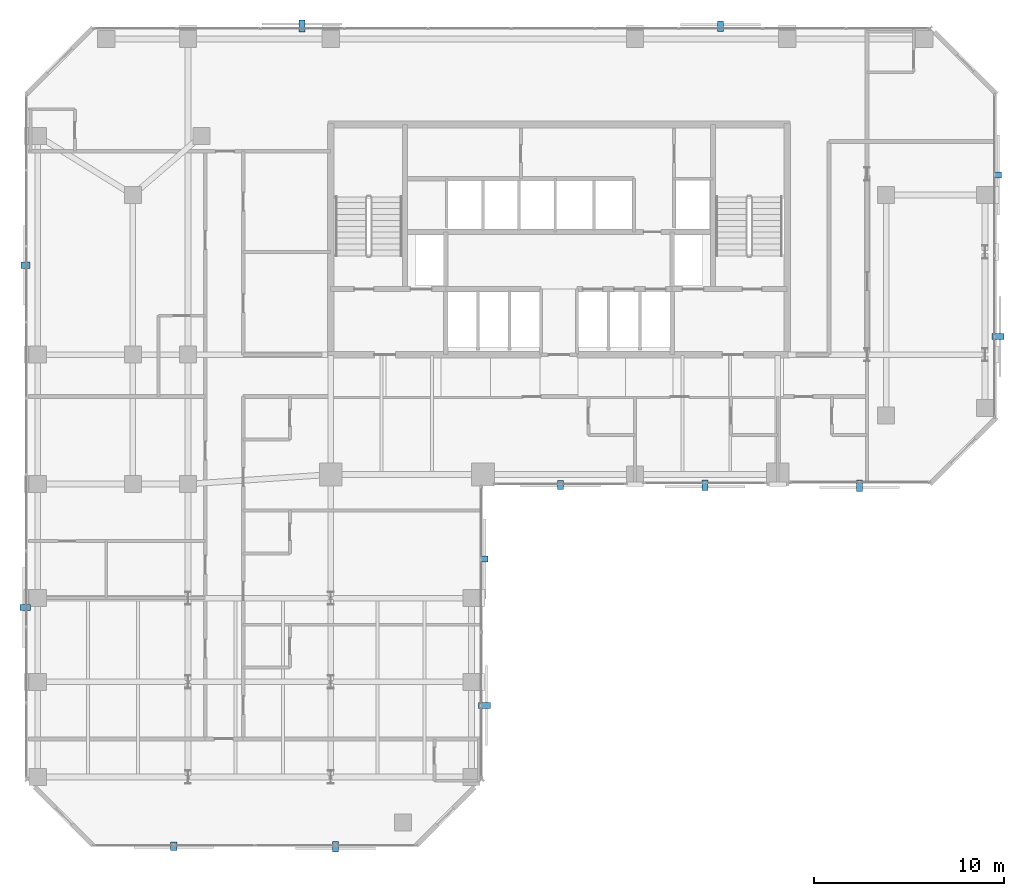
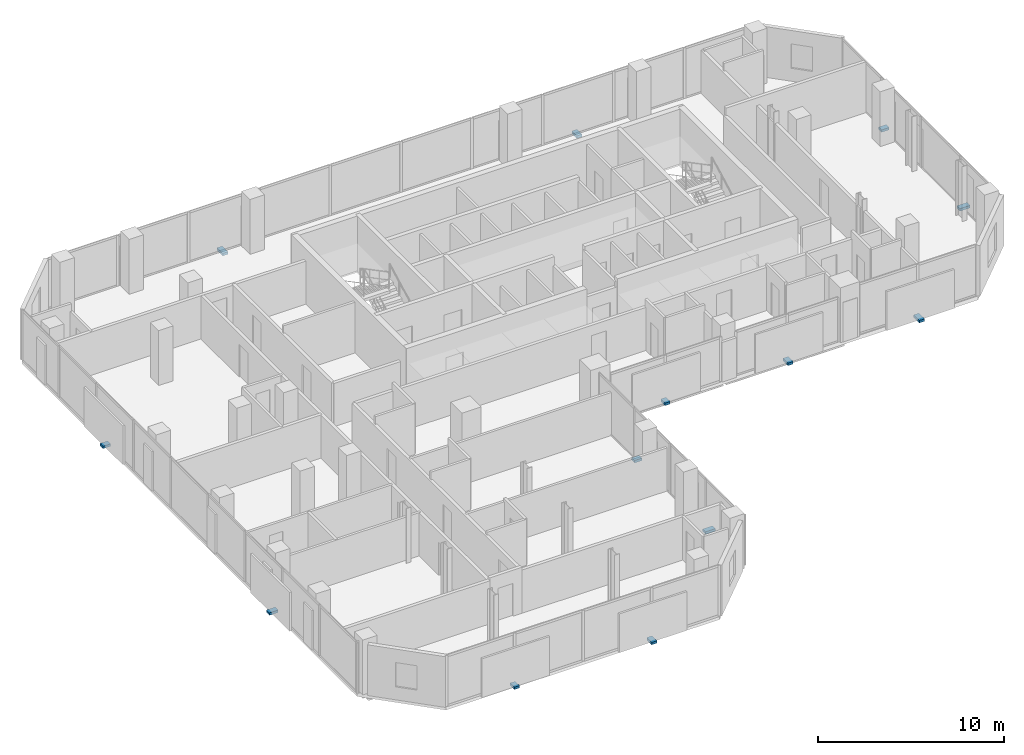
# One storey, part 32 of 35: 13 discrete accessories.
"""IFC4 building model written with IfcOpenShell, lengths in metres."""

import ifcopenshell
import ifcopenshell.guid

model = None  # the IFC model being written
_history = None  # IfcOwnerHistory: only IFC2X3 demands one
_inside = {}  # id of a spatial element -> (the spatial element, [elements in it])
_under = {}  # id of a project, library or spatial element -> (it, [spatial elements below it])
_declared = {}  # id of a project -> (the project, [libraries it declares])
_typed = {}  # id of a type object -> (the type object, [elements of that type])
_made_of = {}  # id of a material, layer set ... -> (it, [elements and type objects made of it])


def new_model(schema):
    """Start an empty IFC model of exactly this schema.

    Asked for "IFC4X3", IfcOpenShell would pick the latest addendum, in which some entities
    have other attributes; the version numbers below select the first issue.
    IFC2X3 requires an IfcOwnerHistory on every rooted entity: one is made here for all.
    """
    global model, _history
    if schema == "IFC4X3":
        model = ifcopenshell.file(schema_version=(4, 3, 0, 0))
    else:
        model = ifcopenshell.file(schema=schema)
    _inside.clear()
    _under.clear()
    _declared.clear()
    _typed.clear()
    _made_of.clear()
    _history = None
    if model.schema == "IFC2X3":
        org = make("IfcOrganization", Name="unknown")
        user = make(
            "IfcPersonAndOrganization",
            ThePerson=make("IfcPerson", FamilyName="unknown"),
            TheOrganization=org,
        )
        app = make(
            "IfcApplication",
            ApplicationDeveloper=org,
            Version="unknown",
            ApplicationFullName="unknown",
            ApplicationIdentifier="unknown",
        )
        _history = make(
            "IfcOwnerHistory",
            OwningUser=user,
            OwningApplication=app,
            ChangeAction="ADDED",
            CreationDate=0,
        )
    return model


def make(cls, **values):
    """One entity of the class cls with the attributes given. An attribute that is None is left unset."""
    return model.create_entity(
        cls, **{name: value for name, value in values.items() if value is not None}
    )


def rooted(cls, **values):
    """An entity with a GlobalId (a new one), such as an element, a storey or a relation."""
    return make(cls, GlobalId=ifcopenshell.guid.new(), OwnerHistory=_history, **values)


def si_unit(unit_type, name, prefix=None):
    """IfcSIUnit, for example si_unit("LENGTHUNIT", "METRE", prefix="MILLI")."""
    return make("IfcSIUnit", UnitType=unit_type, Prefix=prefix, Name=name)


def assignment(units):
    """IfcUnitAssignment: the units of a project."""
    return None if units is None else make("IfcUnitAssignment", Units=units)


def point(xyz):
    """IfcCartesianPoint."""
    return None if xyz is None else make("IfcCartesianPoint", Coordinates=xyz)


def direction(xyz):
    """IfcDirection."""
    return None if xyz is None else make("IfcDirection", DirectionRatios=xyz)


def frame(location, z_axis=None, x_axis=None):
    """IfcAxis2Placement3D, a coordinate frame: its origin and axes. An axis left out is left unset."""
    return make(
        "IfcAxis2Placement3D",
        Location=point(location),
        Axis=direction(z_axis),
        RefDirection=direction(x_axis),
    )


def frame_2d(location, x_axis=None):
    """IfcAxis2Placement2D, a coordinate frame in the plane: its origin and x axis."""
    return make(
        "IfcAxis2Placement2D", Location=point(location), RefDirection=direction(x_axis)
    )


def origin():
    """The frame at (0, 0, 0) with its axes left unset."""
    return frame((0.0, 0.0, 0.0))


def origin_2d():
    """The frame at (0, 0) in the plane with its x axis left unset."""
    return frame_2d((0.0, 0.0))


def place(relative_to, where):
    """IfcLocalPlacement: puts the frame where relative to a parent placement (None: the world)."""
    return make(
        "IfcLocalPlacement", PlacementRelTo=relative_to, RelativePlacement=where
    )


def context(
    kind, dimensions, precision=None, world=None, true_north=None, identifier=None
):
    """IfcGeometricRepresentationContext, for example the 3D "Model" context."""
    return make(
        "IfcGeometricRepresentationContext",
        ContextIdentifier=identifier,
        ContextType=kind,
        CoordinateSpaceDimension=dimensions,
        Precision=precision,
        WorldCoordinateSystem=world,
        TrueNorth=true_north,
    )


def subcontext(parent, identifier, kind, view, scale=None):
    """IfcGeometricRepresentationSubContext, for example "Body" below "Model"."""
    return make(
        "IfcGeometricRepresentationSubContext",
        ContextIdentifier=identifier,
        ContextType=kind,
        ParentContext=parent,
        TargetScale=scale,
        TargetView=view,
    )


def project(units=None, contexts=None):
    """IfcProject with its units and contexts."""
    return rooted(
        "IfcProject",
        Name="project",
        RepresentationContexts=contexts,
        UnitsInContext=assignment(units),
    )


def spatial(cls, under=None, at=None, **own):
    """A site, building, storey or space (cls), placed at a placement, below another one or the project."""
    s = rooted(cls, ObjectPlacement=at, **own)
    if under is not None:
        _under.setdefault(under.id(), (under, []))[1].append(s)
    return s


def profile(cls, at=None, kind="AREA", **sizes):
    """A parametric profile (cls). Its sizes go by their IFC names, for example OverallWidth=200.0."""
    return make(cls, ProfileType=kind, Position=at, **sizes)


def rectangle(**sizes):
    """IfcRectangleProfileDef."""
    return profile("IfcRectangleProfileDef", **sizes)


def extrude(swept, where, along, depth):
    """IfcExtrudedAreaSolid: the profile swept, set in the frame where, extruded along a direction by depth."""
    return make(
        "IfcExtrudedAreaSolid",
        SweptArea=swept,
        Position=where,
        ExtrudedDirection=direction(along),
        Depth=depth,
    )


def shape(context_of_items, identifier, shape_type, items):
    """IfcShapeRepresentation: the items that make up one representation, for example the "Body"."""
    return make(
        "IfcShapeRepresentation",
        ContextOfItems=context_of_items,
        RepresentationIdentifier=identifier,
        RepresentationType=shape_type,
        Items=items,
    )


def material(Name=None, Category=None):
    """IfcMaterial."""
    return make("IfcMaterial", Name=Name, Category=Category)


def made_of(thing, what):
    """Note that an element or type object is made of a material, layer set ...; save() writes the relation."""
    if what is not None:
        _made_of.setdefault(what.id(), (what, []))[1].append(thing)
    return thing


def type_object(cls, material=None, **own):
    """A type object (cls), such as IfcWallType, which elements share."""
    return made_of(rooted(cls, **own), material)


def element(
    cls,
    number,
    at=None,
    inside=None,
    cuts=None,
    type_object=None,
    material=None,
    context=None,
    identifier="Body",
    shape_type=None,
    held_by="IfcProductDefinitionShape",
    body=None,
    shapes=None,
    **own,
):
    """One element of the class cls, such as IfcWall. Its Tag is "e" and its number.

    at: its placement. inside: the storey or other place that contains it. cuts: it is an
    opening in that element (IfcRelVoidsElement). A single representation is given by context,
    identifier, shape_type and body (its items); several are given by shapes. held_by: the class
    of the entity that holds the representations. save() writes the other relations.
    """
    e = rooted(cls, Tag="e%d" % number, ObjectPlacement=at, **own)
    if body is not None:
        shapes = [shape(context, identifier, shape_type, body)]
    if shapes is not None:
        e.Representation = make(held_by, Representations=shapes)
    if inside is not None:
        _inside.setdefault(inside.id(), (inside, []))[1].append(e)
    if cuts is not None:
        rooted(
            "IfcRelVoidsElement", RelatingBuildingElement=cuts, RelatedOpeningElement=e
        )
    if type_object is not None:
        _typed.setdefault(type_object.id(), (type_object, []))[1].append(e)
    return made_of(e, material)


def aggregate(whole, parts):
    """IfcRelAggregates: a whole, such as a stair, and the parts it consists of."""
    return rooted("IfcRelAggregates", RelatingObject=whole, RelatedObjects=parts)


def save(model, path):
    """Write the relations noted so far, then the file.

    IfcRelAggregates (storeys below a building ...), IfcRelContainedInSpatialStructure (elements
    in a storey), IfcRelDefinesByType, IfcRelAssociatesMaterial and IfcRelDeclares: one each for
    every whole, place, type object, material and project.
    """
    for whole, parts in _under.values():
        aggregate(whole, parts)
    for where, things in _inside.values():
        rooted(
            "IfcRelContainedInSpatialStructure",
            RelatedElements=things,
            RelatingStructure=where,
        )
    for kind, things in _typed.values():
        rooted("IfcRelDefinesByType", RelatedObjects=things, RelatingType=kind)
    for what, things in _made_of.values():
        rooted("IfcRelAssociatesMaterial", RelatedObjects=things, RelatingMaterial=what)
    for by, libraries in _declared.values():
        rooted("IfcRelDeclares", RelatingContext=by, RelatedDefinitions=libraries)
    model.write(path)


model = new_model("IFC4")

# Units and contexts
model_context = context("Model", 3, precision=1e-05, world=origin(), true_north=direction((0.0, 1.0)))
body_context = subcontext(model_context, "Body", "Model", "MODEL_VIEW")
ifc_project = project(units=[si_unit("LENGTHUNIT", "METRE"), si_unit("AREAUNIT", "SQUARE_METRE"), si_unit("VOLUMEUNIT", "CUBIC_METRE"), si_unit("PLANEANGLEUNIT", "RADIAN"), si_unit("MASSUNIT", "GRAM", prefix="KILO")], contexts=[model_context])

# Site, building, storey
site_placement = place(None, origin())
site = spatial("IfcSite", under=ifc_project, at=site_placement, CompositionType="ELEMENT")
building_placement = place(site_placement, origin())
building = spatial("IfcBuilding", under=site, at=building_placement, Name="Catumbela Crestline Tower", CompositionType="ELEMENT")
storey_placement = place(building_placement, frame((0.0, 0.0, 90.0)))
storey = spatial("IfcBuildingStorey", under=building, at=storey_placement, Name="L22", CompositionType="ELEMENT", Elevation=90.0)

# Discrete accessories
ifc_material = material(Name="Stainless steel EN 1.4401", Category="steel")
discrete_accessory_type = type_object("IfcDiscreteAccessoryType", Name="BK-SS1", PredefinedType="BRACKET", material=ifc_material)
discrete_accessory_1_placement = place(storey_placement, frame((7.75, 4.955, -0.18), z_axis=(0.0, 0.0, 1.0), x_axis=(1.0, 0.0, 0.0)))
element("IfcDiscreteAccessory", 1, at=discrete_accessory_1_placement, inside=storey, type_object=discrete_accessory_type, Name="L22 Solar Screen Stainless Bracket 211", PredefinedType="BRACKET", context=body_context, shape_type="SweptSolid", body=[
    extrude(rectangle(XDim=0.32, YDim=0.46, at=origin_2d()), origin(), (0.0, 0.0, 1.0), 0.16),
])
discrete_accessory_2_placement = place(storey_placement, frame((16.25, 4.935, -0.18), z_axis=(0.0, 0.0, 1.0), x_axis=(1.0, 0.0, 0.0)))
element("IfcDiscreteAccessory", 2, at=discrete_accessory_2_placement, inside=storey, type_object=discrete_accessory_type, Name="L22 Solar Screen Stainless Bracket 212", PredefinedType="BRACKET", context=body_context, shape_type="SweptSolid", body=[
    extrude(rectangle(XDim=0.32, YDim=0.54, at=origin_2d()), origin(), (0.0, 0.0, 1.0), 0.16),
])
discrete_accessory_3_placement = place(storey_placement, frame((24.085, 12.35, -0.18), z_axis=(0.0, 0.0, 1.0), x_axis=(0.0, 1.0, 0.0)))
element("IfcDiscreteAccessory", 3, at=discrete_accessory_3_placement, inside=storey, type_object=discrete_accessory_type, Name="L22 Solar Screen Stainless Bracket 213", PredefinedType="BRACKET", context=body_context, shape_type="SweptSolid", body=[
    extrude(rectangle(XDim=0.32, YDim=0.62, at=origin_2d()), origin(), (0.0, 0.0, 1.0), 0.16),
])
for number, where, z_axis, x_axis, name in (
    (4, (24.045, 20.05, -0.18), (0.0, 0.0, 1.0), (0.0, 1.0, 0.0), "L22 Solar Screen Stainless Bracket 214"),
    (5, (28.075, 23.955, -0.18), (0.0, 0.0, 1.0), (1.0, 0.0, 0.0), "L22 Solar Screen Stainless Bracket 215"),
):
    element("IfcDiscreteAccessory", number, at=place(storey_placement, frame(where, z_axis=z_axis, x_axis=x_axis)), inside=storey, type_object=discrete_accessory_type, Name=name, PredefinedType="BRACKET", context=body_context, shape_type="SweptSolid", body=[
        extrude(rectangle(XDim=0.32, YDim=0.46, at=origin_2d()), origin(), (0.0, 0.0, 1.0), 0.16),
    ])
discrete_accessory_4_placement = place(storey_placement, frame((35.675, 23.935, -0.18), z_axis=(0.0, 0.0, 1.0), x_axis=(1.0, 0.0, 0.0)))
element("IfcDiscreteAccessory", 6, at=discrete_accessory_4_placement, inside=storey, type_object=discrete_accessory_type, Name="L22 Solar Screen Stainless Bracket 216", PredefinedType="BRACKET", context=body_context, shape_type="SweptSolid", body=[
    extrude(rectangle(XDim=0.32, YDim=0.54, at=origin_2d()), origin(), (0.0, 0.0, 1.0), 0.16),
])
for number, where, z_axis, x_axis, name in (
    (7, (43.8, 23.915, -0.18), (0.0, 0.0, 1.0), (1.0, 0.0, 0.0), "L22 Solar Screen Stainless Bracket 217"),
    (8, (51.085, 31.75, -0.18), (0.0, 0.0, 1.0), (0.0, 1.0, 0.0), "L22 Solar Screen Stainless Bracket 218"),
):
    element("IfcDiscreteAccessory", number, at=place(storey_placement, frame(where, z_axis=z_axis, x_axis=x_axis)), inside=storey, type_object=discrete_accessory_type, Name=name, PredefinedType="BRACKET", context=body_context, shape_type="SweptSolid", body=[
        extrude(rectangle(XDim=0.32, YDim=0.62, at=origin_2d()), origin(), (0.0, 0.0, 1.0), 0.16),
    ])
discrete_accessory_5_placement = place(storey_placement, frame((51.045, 40.25, -0.18), z_axis=(0.0, 0.0, 1.0), x_axis=(0.0, 1.0, 0.0)))
element("IfcDiscreteAccessory", 9, at=discrete_accessory_5_placement, inside=storey, type_object=discrete_accessory_type, Name="L22 Solar Screen Stainless Bracket 219", PredefinedType="BRACKET", context=body_context, shape_type="SweptSolid", body=[
    extrude(rectangle(XDim=0.32, YDim=0.46, at=origin_2d()), origin(), (0.0, 0.0, 1.0), 0.16),
])
discrete_accessory_6_placement = place(storey_placement, frame((36.5, 48.065, -0.18), z_axis=(0.0, 0.0, 1.0), x_axis=(-1.0, 0.0, 0.0)))
element("IfcDiscreteAccessory", 10, at=discrete_accessory_6_placement, inside=storey, type_object=discrete_accessory_type, Name="L22 Solar Screen Stainless Bracket 220", PredefinedType="BRACKET", context=body_context, shape_type="SweptSolid", body=[
    extrude(rectangle(XDim=0.32, YDim=0.54, at=origin_2d()), origin(), (0.0, 0.0, 1.0), 0.16),
])
discrete_accessory_7_placement = place(storey_placement, frame((14.5, 48.085, -0.18), z_axis=(0.0, 0.0, 1.0), x_axis=(-1.0, 0.0, 0.0)))
element("IfcDiscreteAccessory", 11, at=discrete_accessory_7_placement, inside=storey, type_object=discrete_accessory_type, Name="L22 Solar Screen Stainless Bracket 221", PredefinedType="BRACKET", context=body_context, shape_type="SweptSolid", body=[
    extrude(rectangle(XDim=0.32, YDim=0.62, at=origin_2d()), origin(), (0.0, 0.0, 1.0), 0.16),
])
discrete_accessory_8_placement = place(storey_placement, frame((-0.045, 35.5, -0.18), z_axis=(0.0, 0.0, 1.0), x_axis=(0.0, -1.0, 0.0)))
element("IfcDiscreteAccessory", 12, at=discrete_accessory_8_placement, inside=storey, type_object=discrete_accessory_type, Name="L22 Solar Screen Stainless Bracket 222", PredefinedType="BRACKET", context=body_context, shape_type="SweptSolid", body=[
    extrude(rectangle(XDim=0.32, YDim=0.46, at=origin_2d()), origin(), (0.0, 0.0, 1.0), 0.16),
])
discrete_accessory_9_placement = place(storey_placement, frame((-0.065, 17.5, -0.18), z_axis=(0.0, 0.0, 1.0), x_axis=(0.0, -1.0, 0.0)))
element("IfcDiscreteAccessory", 13, at=discrete_accessory_9_placement, inside=storey, type_object=discrete_accessory_type, Name="L22 Solar Screen Stainless Bracket 223", PredefinedType="BRACKET", context=body_context, shape_type="SweptSolid", body=[
    extrude(rectangle(XDim=0.32, YDim=0.54, at=origin_2d()), origin(), (0.0, 0.0, 1.0), 0.16),
])

save(model, "model.ifc")
